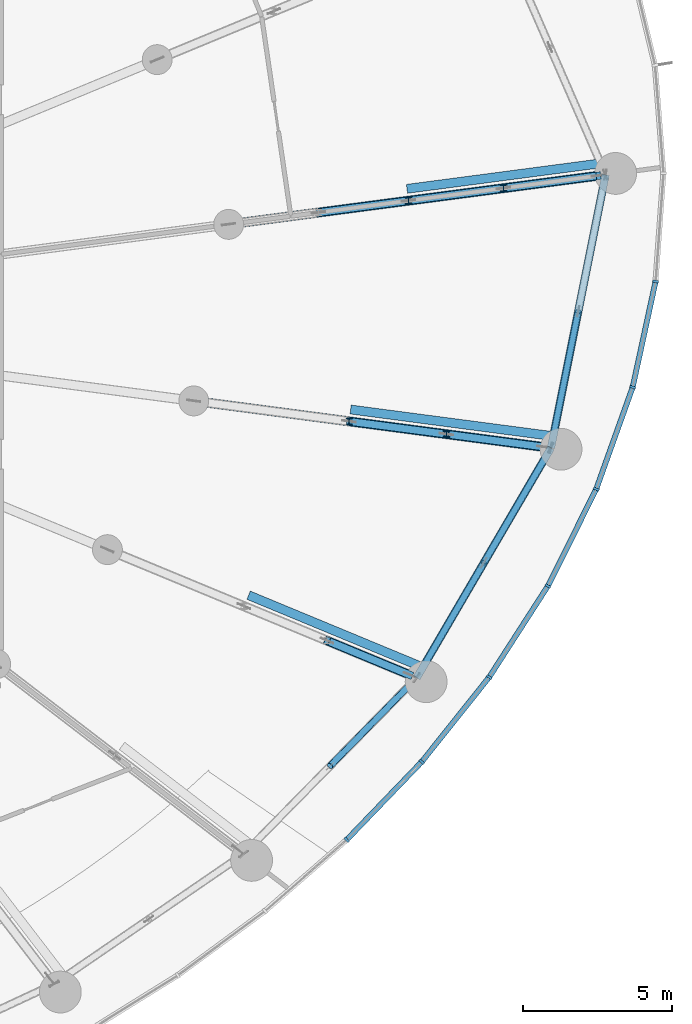
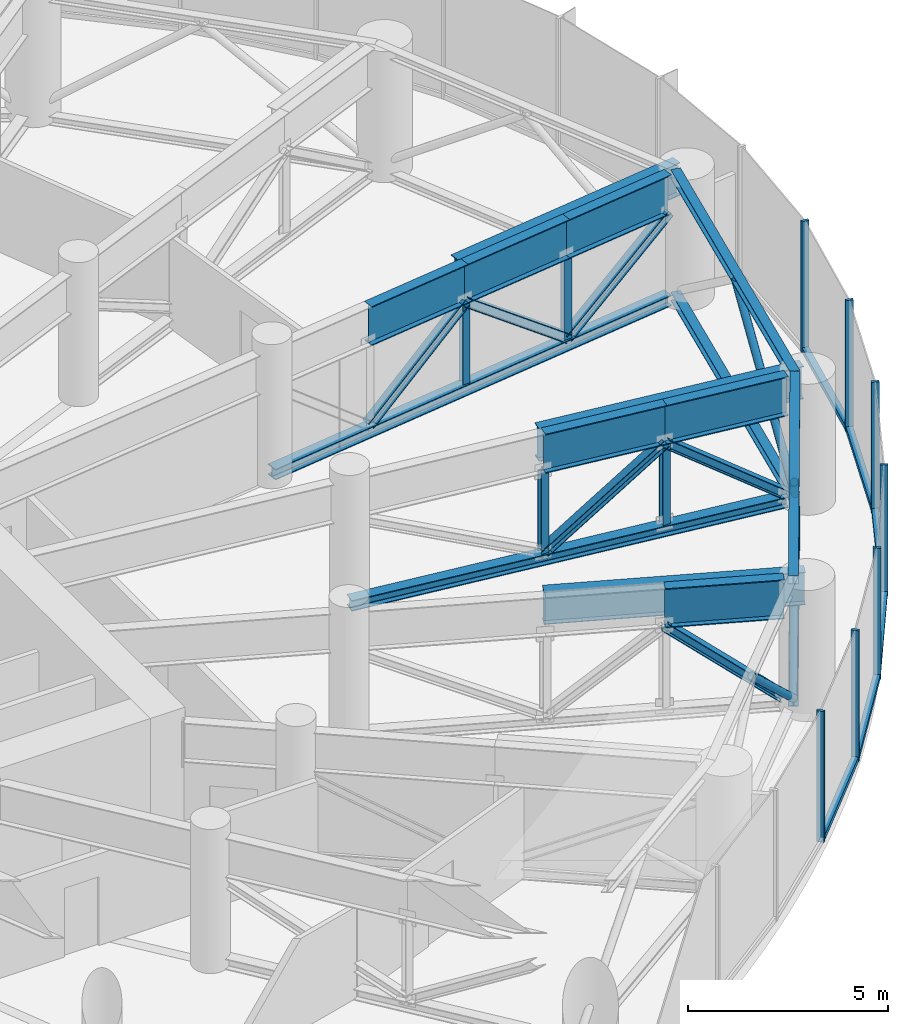
# One storey, part 16 of 42: 33 members, 9 beams, 2 elements without a shape of their own.
"""IFC4 building model written with IfcOpenShell, lengths in metres."""

from ifc_helpers import new_model, si_unit, direction, frame, origin, origin_2d, place, context, subcontext, project, spatial, rectangle, hollow_circle, i_section, extrude, source, transform, mapped, material, layer, layer_set, material_profile, profile_set, type_object, element, aggregate, save


model = new_model("IFC4")

# Units and contexts
model_context = context("Model", 3, precision=1e-05, world=origin(), true_north=direction((0.0, 1.0)))
body_context = subcontext(model_context, "Body", "Model", "MODEL_VIEW")
ifc_project = project(units=[si_unit("LENGTHUNIT", "METRE"), si_unit("AREAUNIT", "SQUARE_METRE"), si_unit("VOLUMEUNIT", "CUBIC_METRE"), si_unit("PLANEANGLEUNIT", "RADIAN"), si_unit("MASSUNIT", "GRAM", prefix="KILO")], contexts=[model_context])

# Site, building, storey
site_placement = place(None, origin())
site = spatial("IfcSite", under=ifc_project, at=site_placement, CompositionType="ELEMENT")
building_placement = place(site_placement, origin())
building = spatial("IfcBuilding", under=site, at=building_placement, Name="Spindrift Exchange Tower", CompositionType="ELEMENT")
storey_placement = place(building_placement, frame((0.0, 0.0, 75.39990234375)))
storey = spatial("IfcBuildingStorey", under=building, at=storey_placement, Name="L17", CompositionType="ELEMENT", Elevation=75.39990234375)

# Beam
ifc_material_1 = material(Name="Steel Grade 300", Category="steel")
ifc_material_profile_1 = material_profile(ifc_material_1, i_section(OverallWidth=0.300048828125, OverallDepth=1.199951171875, WebThickness=0.011962890625, FlangeThickness=0.028076171875, at=origin_2d()), Name="1200WB249")
ifc_profile_set_1 = profile_set([ifc_material_profile_1], Name="Steel Grade 300")
beam_type_1 = type_object("IfcBeamType", Name="Outrigger Truss Transfer Girder 1200WB249 Steel Grade 300", PredefinedType="BEAM", material=ifc_profile_set_1)
shared_shape_1 = source(origin(), body_context, "Body", "SweptSolid", [
    extrude(i_section(OverallWidth=0.300048828125, OverallDepth=1.199951171875, WebThickness=0.011962890625, FlangeThickness=0.028076171875, at=origin_2d()), origin(), (0.0, 0.0, 1.0), 3.037109375),
])
beam_1_placement = place(storey_placement, frame((78.045166015625, 51.428955078125, 3.400146484375), z_axis=(0.991453201107, 0.130462830014, 0.0), x_axis=(-0.130462830014, 0.991453201107, 0.0)))
element("IfcBeam", 1, at=beam_1_placement, inside=storey, type_object=beam_type_1, Name="L17 outrigger truss 01 top chord 3", PredefinedType="BEAM", context=body_context, shape_type="MappedRepresentation", body=[
    mapped(shared_shape_1, transform((0.0, 0.0, 0.0), scale=1.0)),
])

# Members
ifc_material_profile_2 = material_profile(ifc_material_1, i_section(OverallWidth=0.31103515625, OverallDepth=0.326904296875, WebThickness=0.015625, FlangeThickness=0.02490234375, FilletRadius=0.0166015625, at=origin_2d()), Name="310UC158")
ifc_profile_set_2 = profile_set([ifc_material_profile_2], Name="Steel Grade 300")
member_type_1 = type_object("IfcMemberType", Name="Outrigger Truss Chord 310UC158 Steel Grade 300", PredefinedType="CHORD", material=ifc_profile_set_2)
shared_shape_2 = source(origin(), body_context, "Body", "SweptSolid", [
    extrude(i_section(OverallWidth=0.31103515625, OverallDepth=0.326904296875, WebThickness=0.015625, FlangeThickness=0.02490234375, FilletRadius=0.0166015625, at=origin_2d()), origin(), (0.0, 0.0, 1.0), 12.48828125),
])
member_1_placement = place(storey_placement, frame((75.033935546875, 51.032470703125, 0.16357421875), z_axis=(0.991443912028, 0.130533403017, 0.0), x_axis=(-0.130533403017, 0.991443912028, 0.0)))
element("IfcMember", 2, at=member_1_placement, inside=storey, type_object=member_type_1, Name="L17 outrigger truss 01 bottom chord 2", PredefinedType="CHORD", context=body_context, shape_type="MappedRepresentation", body=[
    mapped(shared_shape_2, transform((0.0, 0.0, 0.0), scale=1.0)),
])
ifc_material_profile_3 = material_profile(ifc_material_1, i_section(OverallWidth=0.256103515625, OverallDepth=0.260009765625, WebThickness=0.010498046875, FlangeThickness=0.017333984375, FilletRadius=0.011962890625, at=origin_2d()), Name="250UC89.5")
ifc_profile_set_3 = profile_set([ifc_material_profile_3], Name="Steel Grade 300")
member_type_2 = type_object("IfcMemberType", Name="Outrigger Truss Diagonal 250UC89.5 Steel Grade 300", PredefinedType="BRACE", material=ifc_profile_set_3)
shared_shape_3 = source(origin(), body_context, "Body", "SweptSolid", [
    extrude(i_section(OverallWidth=0.256103515625, OverallDepth=0.260009765625, WebThickness=0.010498046875, FlangeThickness=0.017333984375, FilletRadius=0.011962890625, at=origin_2d()), origin(), (0.0, 0.0, 1.0), 3.91650390625),
])
member_2_placement = place(storey_placement, frame((78.045166015625, 51.428955078125, 0.3271484375), z_axis=(0.768837986343, 0.101169454503, 0.631389651667), x_axis=(-0.130462830014, 0.991453201107, 0.0)))
element("IfcMember", 3, at=member_2_placement, inside=storey, type_object=member_type_2, Name="L17 outrigger truss 01 diagonal 3", PredefinedType="BRACE", context=body_context, shape_type="MappedRepresentation", body=[
    mapped(shared_shape_3, transform((0.0, 0.0, 0.0), scale=1.0)),
])

# Beams
shared_shape_4 = source(origin(), body_context, "Body", "SweptSolid", [
    extrude(i_section(OverallWidth=0.300048828125, OverallDepth=1.199951171875, WebThickness=0.011962890625, FlangeThickness=0.028076171875, at=origin_2d()), origin(), (0.0, 0.0, 1.0), 3.206787109375),
])
for number, where, z_axis, x_axis, name in (
    (4, (81.056396484375, 51.8251953125, 3.400146484375), (0.991440037938, 0.130562824623, 0.0), (-0.130562824623, 0.991440037938, 0.0), "L17 outrigger truss 01 top chord 4"),
    (5, (84.23583984375, 52.243896484375, 3.400146484375), (0.991440037938, 0.130562824623, 0.0), (-0.130562824623, 0.991440037938, 0.0), "L17 outrigger truss 01 top chord 5"),
):
    element("IfcBeam", number, at=place(storey_placement, frame(where, z_axis=z_axis, x_axis=x_axis)), inside=storey, type_object=beam_type_1, Name=name, PredefinedType="BEAM", context=body_context, shape_type="MappedRepresentation", body=[
        mapped(shared_shape_4, transform((0.0, 0.0, 0.0), scale=1.0)),
    ])

# Members
shared_shape_5 = source(origin(), body_context, "Body", "SweptSolid", [
    extrude(i_section(OverallWidth=0.256103515625, OverallDepth=0.260009765625, WebThickness=0.010498046875, FlangeThickness=0.017333984375, FilletRadius=0.011962890625, at=origin_2d()), origin(), (0.0, 0.0, 1.0), 4.049560546875),
])
for number, where, z_axis, x_axis, name in (
    (6, (81.056396484375, 51.8251953125, 2.800048828125), (0.785121769162, 0.103392753906, -0.610650264904), (-0.130562824623, 0.991440037938, 0.0), "L17 outrigger truss 01 diagonal 4"),
    (7, (84.23583984375, 52.243896484375, 0.3271484375), (0.785121769162, 0.103392753906, 0.610650264904), (-0.130562824623, 0.991440037938, 0.0), "L17 outrigger truss 01 diagonal 5"),
):
    element("IfcMember", number, at=place(storey_placement, frame(where, z_axis=z_axis, x_axis=x_axis)), inside=storey, type_object=member_type_2, Name=name, PredefinedType="BRACE", context=body_context, shape_type="MappedRepresentation", body=[
        mapped(shared_shape_5, transform((0.0, 0.0, 0.0), scale=1.0)),
    ])
ifc_material_profile_4 = material_profile(ifc_material_1, i_section(OverallWidth=0.205078125, OverallDepth=0.2099609375, WebThickness=0.00927734375, FlangeThickness=0.01416015625, FilletRadius=0.012939453125, at=origin_2d()), Name="200UC59.5")
ifc_profile_set_4 = profile_set([ifc_material_profile_4], Name="Steel Grade 300")
member_type_3 = type_object("IfcMemberType", Name="Outrigger Truss Post 200UC59.5 Steel Grade 300", PredefinedType="POST", material=ifc_profile_set_4)
shared_shape_6 = source(origin(), body_context, "Body", "SweptSolid", [
    extrude(i_section(OverallWidth=0.205078125, OverallDepth=0.2099609375, WebThickness=0.00927734375, FlangeThickness=0.01416015625, FilletRadius=0.012939453125, at=origin_2d()), origin(), (0.0, 0.0, 1.0), 2.472900390625),
])
for number, where, z_axis, x_axis, name in (
    (8, (81.056396484375, 51.8251953125, 0.3271484375), (0.0, 0.0, 1.0), (1.0, 0.0, 0.0), "L17 outrigger truss 01 post 3"),
    (9, (84.23583984375, 52.243896484375, 0.3271484375), (0.0, 0.0, 1.0), (1.0, 0.0, 0.0), "L17 outrigger truss 01 post 4"),
    (10, (79.064453125, 44.43701171875, 0.3271484375), (0.0, 0.0, 1.0), (1.0, 0.0, 0.0), "L17 outrigger truss 24 post 2"),
    (11, (82.3251953125, 44.007568359375, 0.3271484375), (0.0, 0.0, 1.0), (1.0, 0.0, 0.0), "L17 outrigger truss 24 post 3"),
):
    element("IfcMember", number, at=place(storey_placement, frame(where, z_axis=z_axis, x_axis=x_axis)), inside=storey, type_object=member_type_3, Name=name, PredefinedType="POST", context=body_context, shape_type="MappedRepresentation", body=[
        mapped(shared_shape_6, transform((0.0, 0.0, 0.0), scale=1.0)),
    ])

# Beam
shared_shape_7 = source(origin(), body_context, "Body", "SweptSolid", [
    extrude(i_section(OverallWidth=0.300048828125, OverallDepth=1.199951171875, WebThickness=0.011962890625, FlangeThickness=0.028076171875, at=origin_2d()), origin(), (0.0, 0.0, 1.0), 3.009521484375),
])
beam_2_placement = place(storey_placement, frame((78.328125, 37.094482421875, 3.400146484375), z_axis=(0.923893248849, -0.382650316518, 0.0), x_axis=(0.382650316518, 0.923893248849, 0.0)))
element("IfcBeam", 12, at=beam_2_placement, inside=storey, type_object=beam_type_1, Name="L17 outrigger truss 23 top chord 4", PredefinedType="BEAM", context=body_context, shape_type="MappedRepresentation", body=[
    mapped(shared_shape_7, transform((0.0, 0.0, 0.0), scale=1.0)),
])

# Members
shared_shape_8 = source(origin(), body_context, "Body", "SweptSolid", [
    extrude(i_section(OverallWidth=0.256103515625, OverallDepth=0.260009765625, WebThickness=0.010498046875, FlangeThickness=0.017333984375, FilletRadius=0.011962890625, at=origin_2d()), origin(), (0.0, 0.0, 1.0), 3.895263671875),
])
member_3_placement = place(storey_placement, frame((78.328125, 37.094482421875, 2.800048828125), z_axis=(0.713828495111, -0.295647467858, -0.634855459389), x_axis=(0.382650316518, 0.923893248849, 0.0)))
element("IfcMember", 13, at=member_3_placement, inside=storey, type_object=member_type_2, Name="L17 outrigger truss 23 diagonal 4", PredefinedType="BRACE", context=body_context, shape_type="MappedRepresentation", body=[
    mapped(shared_shape_8, transform((0.0, 0.0, 0.0), scale=1.0)),
])
shared_shape_9 = source(origin(), body_context, "Body", "SweptSolid", [
    extrude(i_section(OverallWidth=0.31103515625, OverallDepth=0.326904296875, WebThickness=0.015625, FlangeThickness=0.02490234375, FilletRadius=0.0166015625, at=origin_2d()), origin(), (0.0, 0.0, 1.0), 11.823974609375),
])
member_4_placement = place(storey_placement, frame((73.86328125, 45.12158203125, 0.16357421875), z_axis=(0.991446352236, -0.130514867495, 0.0), x_axis=(0.130514867495, 0.991446352236, 0.0)))
element("IfcMember", 14, at=member_4_placement, inside=storey, type_object=member_type_1, Name="L17 outrigger truss 24 bottom chord 2", PredefinedType="CHORD", context=body_context, shape_type="MappedRepresentation", body=[
    mapped(shared_shape_9, transform((0.0, 0.0, 0.0), scale=1.0)),
])

# Beam
shared_shape_10 = source(origin(), body_context, "Body", "SweptSolid", [
    extrude(i_section(OverallWidth=0.300048828125, OverallDepth=1.199951171875, WebThickness=0.011962890625, FlangeThickness=0.028076171875, at=origin_2d()), origin(), (0.0, 0.0, 1.0), 3.288818359375),
])
beam_3_placement = place(storey_placement, frame((79.064453125, 44.43701171875, 3.400146484375), z_axis=(0.991438623433, -0.130573565335, 0.0), x_axis=(0.130573565335, 0.991438623433, 0.0)))
element("IfcBeam", 15, at=beam_3_placement, inside=storey, type_object=beam_type_1, Name="L17 outrigger truss 24 top chord 3", PredefinedType="BEAM", context=body_context, shape_type="MappedRepresentation", body=[
    mapped(shared_shape_10, transform((0.0, 0.0, 0.0), scale=1.0)),
])

# Member
shared_shape_11 = source(origin(), body_context, "Body", "SweptSolid", [
    extrude(i_section(OverallWidth=0.256103515625, OverallDepth=0.260009765625, WebThickness=0.010498046875, FlangeThickness=0.017333984375, FilletRadius=0.011962890625, at=origin_2d()), origin(), (0.0, 0.0, 1.0), 4.11474609375),
])
member_5_placement = place(storey_placement, frame((79.064453125, 44.43701171875, 0.3271484375), z_axis=(0.792430314964, -0.104363950586, 0.600967854168), x_axis=(0.130573565335, 0.991438623433, 0.0)))
element("IfcMember", 16, at=member_5_placement, inside=storey, type_object=member_type_2, Name="L17 outrigger truss 24 diagonal 3", PredefinedType="BRACE", context=body_context, shape_type="MappedRepresentation", body=[
    mapped(shared_shape_11, transform((0.0, 0.0, 0.0), scale=1.0)),
])

# Beam
shared_shape_12 = source(origin(), body_context, "Body", "SweptSolid", [
    extrude(i_section(OverallWidth=0.300048828125, OverallDepth=1.199951171875, WebThickness=0.011962890625, FlangeThickness=0.028076171875, at=origin_2d()), origin(), (0.0, 0.0, 1.0), 3.2890625),
])
beam_4_placement = place(storey_placement, frame((82.3251953125, 44.007568359375, 3.400146484375), z_axis=(0.991449494626, -0.130490994351, 0.0), x_axis=(0.130490994351, 0.991449494626, 0.0)))
element("IfcBeam", 17, at=beam_4_placement, inside=storey, type_object=beam_type_1, Name="L17 outrigger truss 24 top chord 4", PredefinedType="BEAM", context=body_context, shape_type="MappedRepresentation", body=[
    mapped(shared_shape_12, transform((0.0, 0.0, 0.0), scale=1.0)),
])

# Members
shared_shape_13 = source(origin(), body_context, "Body", "SweptSolid", [
    extrude(i_section(OverallWidth=0.256103515625, OverallDepth=0.260009765625, WebThickness=0.010498046875, FlangeThickness=0.017333984375, FilletRadius=0.011962890625, at=origin_2d()), origin(), (0.0, 0.0, 1.0), 4.114990234375),
])
member_6_placement = place(storey_placement, frame((82.3251953125, 44.007568359375, 2.800048828125), z_axis=(0.79245729301, -0.104300360943, -0.600943319675), x_axis=(0.130490994351, 0.991449494626, 0.0)))
element("IfcMember", 18, at=member_6_placement, inside=storey, type_object=member_type_2, Name="L17 outrigger truss 24 diagonal 4", PredefinedType="BRACE", context=body_context, shape_type="MappedRepresentation", body=[
    mapped(shared_shape_13, transform((0.0, 0.0, 0.0), scale=1.0)),
])
ifc_material_2 = material(Name="Steel Grade 350", Category="steel")
ifc_material_profile_5 = material_profile(ifc_material_2, hollow_circle(Radius=0.109619140625, WallThickness=0.00830078125, at=origin_2d()), Name="219.1x8.2CHS")
ifc_profile_set_5 = profile_set([ifc_material_profile_5], Name="Steel Grade 350")
member_type_4 = type_object("IfcMemberType", Name="Belt Truss Diagonal 219.1x8.2CHS Steel Grade 350", PredefinedType="BRACE", material=ifc_profile_set_5)
shared_shape_14 = source(origin(), body_context, "Body", "SweptSolid", [
    extrude(hollow_circle(Radius=0.109619140625, WallThickness=0.00830078125, at=origin_2d()), origin(), (0.0, 0.0, 1.0), 5.407470703125),
])
member_7_placement = place(storey_placement, frame((78.4306640625, 32.8974609375, 3.739990234375), z_axis=(0.53623251093, 0.546165250881, -0.643551251224), x_axis=(-0.713565578832, 0.700588441745, 0.0)))
element("IfcMember", 19, at=member_7_placement, inside=storey, type_object=member_type_4, Name="L17 belt truss 22 diagonal 2", PredefinedType="BRACE", context=body_context, shape_type="MappedRepresentation", body=[
    mapped(shared_shape_14, transform((0.0, 0.0, 0.0), scale=1.0)),
])
ifc_material_profile_6 = material_profile(ifc_material_1, i_section(OverallWidth=0.256103515625, OverallDepth=0.260009765625, WebThickness=0.010498046875, FlangeThickness=0.017333984375, FilletRadius=0.011962890625, at=origin_2d()), Name="250UC89.5")
ifc_profile_set_6 = profile_set([ifc_material_profile_6], Name="Steel Grade 300")
member_type_5 = type_object("IfcMemberType", Name="Belt Truss Chord 250UC89.5 Steel Grade 300", PredefinedType="CHORD", material=ifc_profile_set_6)
shared_shape_15 = source(origin(), body_context, "Body", "SweptSolid", [
    extrude(i_section(OverallWidth=0.256103515625, OverallDepth=0.260009765625, WebThickness=0.010498046875, FlangeThickness=0.017333984375, FilletRadius=0.011962890625, at=origin_2d()), origin(), (0.0, 0.0, 1.0), 8.912353515625),
])
for number, where, z_axis, x_axis, name in (
    (20, (81.330322265625, 35.850830078125, 3.8701171875), (0.504238880853, 0.863564213615, 0.0), (-0.863564213615, 0.504238880853, 0.0), "L17 belt truss 23 top chord"),
    (21, (81.330322265625, 35.850830078125, 0.130126953125), (0.504238880853, 0.863564213615, 0.0), (-0.863564213615, 0.504238880853, 0.0), "L17 belt truss 23 bottom chord"),
):
    element("IfcMember", number, at=place(storey_placement, frame(where, z_axis=z_axis, x_axis=x_axis)), inside=storey, type_object=member_type_5, Name=name, PredefinedType="CHORD", context=body_context, shape_type="MappedRepresentation", body=[
        mapped(shared_shape_15, transform((0.0, 0.0, 0.0), scale=1.0)),
    ])
shared_shape_16 = source(origin(), body_context, "Body", "SweptSolid", [
    extrude(hollow_circle(Radius=0.109619140625, WallThickness=0.00830078125, at=origin_2d()), origin(), (0.0, 0.0, 1.0), 5.65380859375),
])
member_8_placement = place(storey_placement, frame((81.330322265625, 35.850830078125, 0.260009765625), z_axis=(0.397393276871, 0.680616410957, 0.615499703196), x_axis=(-0.863576141995, 0.504218451642, 0.0)))
element("IfcMember", 22, at=member_8_placement, inside=storey, type_object=member_type_4, Name="L17 belt truss 23 diagonal 1", PredefinedType="BRACE", context=body_context, shape_type="MappedRepresentation", body=[
    mapped(shared_shape_16, transform((0.0, 0.0, 0.0), scale=1.0)),
])
shared_shape_17 = source(origin(), body_context, "Body", "SweptSolid", [
    extrude(hollow_circle(Radius=0.109619140625, WallThickness=0.00830078125, at=origin_2d()), origin(), (0.0, 0.0, 1.0), 5.654052734375),
])
member_9_placement = place(storey_placement, frame((83.5771484375, 39.698974609375, 3.739990234375), z_axis=(0.397429637596, 0.680604731398, -0.615489141057), x_axis=(-0.863552285081, 0.504259309217, 0.0)))
element("IfcMember", 23, at=member_9_placement, inside=storey, type_object=member_type_4, Name="L17 belt truss 23 diagonal 2", PredefinedType="BRACE", context=body_context, shape_type="MappedRepresentation", body=[
    mapped(shared_shape_17, transform((0.0, 0.0, 0.0), scale=1.0)),
])
shared_shape_18 = source(origin(), body_context, "Body", "SweptSolid", [
    extrude(i_section(OverallWidth=0.256103515625, OverallDepth=0.260009765625, WebThickness=0.010498046875, FlangeThickness=0.017333984375, FilletRadius=0.011962890625, at=origin_2d()), origin(), (0.0, 0.0, 1.0), 9.327880859375),
])
for number, where, z_axis, x_axis, name in (
    (24, (85.82421875, 43.547119140625, 3.8701171875), (0.196090968361, 0.98058570871, 0.0), (-0.98058570871, 0.196090968361, 0.0), "L17 belt truss 24 top chord"),
    (25, (85.82421875, 43.547119140625, 0.130126953125), (0.196090968361, 0.98058570871, 0.0), (-0.98058570871, 0.196090968361, 0.0), "L17 belt truss 24 bottom chord"),
):
    element("IfcMember", number, at=place(storey_placement, frame(where, z_axis=z_axis, x_axis=x_axis)), inside=storey, type_object=member_type_5, Name=name, PredefinedType="CHORD", context=body_context, shape_type="MappedRepresentation", body=[
        mapped(shared_shape_18, transform((0.0, 0.0, 0.0), scale=1.0)),
    ])
shared_shape_19 = source(origin(), body_context, "Body", "SweptSolid", [
    extrude(hollow_circle(Radius=0.109619140625, WallThickness=0.00830078125, at=origin_2d()), origin(), (0.0, 0.0, 1.0), 5.819091796875),
])
member_10_placement = place(storey_placement, frame((85.82421875, 43.547119140625, 0.260009765625), z_axis=(0.157165268981, 0.785910255886, 0.598033567553), x_axis=(-0.980584702262, 0.19609600121, 0.0)))
element("IfcMember", 26, at=member_10_placement, inside=storey, type_object=member_type_4, Name="L17 belt truss 24 diagonal 1", PredefinedType="BRACE", context=body_context, shape_type="MappedRepresentation", body=[
    mapped(shared_shape_19, transform((0.0, 0.0, 0.0), scale=1.0)),
])

# Beams
ifc_material_profile_7 = material_profile(ifc_material_1, i_section(OverallWidth=0.300048828125, OverallDepth=1.0, WebThickness=0.010009765625, FlangeThickness=0.02001953125, at=origin_2d()), Name="1000WB215")
ifc_profile_set_7 = profile_set([ifc_material_profile_7], Name="Steel Grade 300")
beam_type_2 = type_object("IfcBeamType", Name="Transfer Tie Beam 1000WB215 Steel Grade 300", PredefinedType="BEAM", material=ifc_profile_set_7)
shared_shape_20 = source(origin(), body_context, "Body", "SweptSolid", [
    extrude(i_section(OverallWidth=0.300048828125, OverallDepth=1.0, WebThickness=0.010009765625, FlangeThickness=0.02001953125, at=origin_2d()), origin(), (0.0, 0.0, 1.0), 6.993896484375),
])
beam_5_placement = place(storey_placement, frame((87.938232421875, 53.134765625, 3.400146484375), z_axis=(-0.991445738791, -0.130519527404, 0.0), x_axis=(0.130519527404, -0.991445738791, 0.0)))
element("IfcBeam", 27, at=beam_5_placement, inside=storey, type_object=beam_type_2, Name="L17 transfer tie beam K01", PredefinedType="BEAM", context=body_context, shape_type="MappedRepresentation", body=[
    mapped(shared_shape_20, transform((0.0, 0.0, 0.0), scale=1.0)),
])
shared_shape_21 = source(origin(), body_context, "Body", "SweptSolid", [
    extrude(i_section(OverallWidth=0.300048828125, OverallDepth=1.0, WebThickness=0.010009765625, FlangeThickness=0.02001953125, at=origin_2d()), origin(), (0.0, 0.0, 1.0), 6.59912109375),
])
beam_6_placement = place(storey_placement, frame((81.797607421875, 36.09033203125, 3.400146484375), z_axis=(-0.923876145736, 0.382691608661, 0.0), x_axis=(-0.382691608661, -0.923876145736, 0.0)))
element("IfcBeam", 28, at=beam_6_placement, inside=storey, type_object=beam_type_2, Name="L17 transfer tie beam K23", PredefinedType="BEAM", context=body_context, shape_type="MappedRepresentation", body=[
    mapped(shared_shape_21, transform((0.0, 0.0, 0.0), scale=1.0)),
])
shared_shape_22 = source(origin(), body_context, "Body", "SweptSolid", [
    extrude(i_section(OverallWidth=0.300048828125, OverallDepth=1.0, WebThickness=0.010009765625, FlangeThickness=0.02001953125, at=origin_2d()), origin(), (0.0, 0.0, 1.0), 7.157958984375),
])
beam_7_placement = place(storey_placement, frame((86.21337890625, 43.899169921875, 3.400146484375), z_axis=(-0.991444308748, 0.130530389761, 0.0), x_axis=(-0.130530389761, -0.991444308748, 0.0)))
element("IfcBeam", 29, at=beam_7_placement, inside=storey, type_object=beam_type_2, Name="L17 transfer tie beam K24", PredefinedType="BEAM", context=body_context, shape_type="MappedRepresentation", body=[
    mapped(shared_shape_22, transform((0.0, 0.0, 0.0), scale=1.0)),
])

# Curtain wall, member
ifc_material_3 = material(Name="Fritted laminated glass with bronze frame", Category="glass")
ifc_layer = layer(ifc_material_3, 0.199951171875)
ifc_layer_set = layer_set([ifc_layer], Name="ZONE 1 BRONZE FRITTED WALL")
curtain_wall_type = type_object("IfcCurtainWallType", Name="ZONE 1 BRONZE FRITTED WALL", PredefinedType="NOTDEFINED", material=ifc_layer_set)
curtain_wall_1_placement = place(storey_placement, origin())
curtain_wall_1 = element("IfcCurtainWall", 30, at=curtain_wall_1_placement, inside=storey, type_object=curtain_wall_type, Name="L17 Zone 1 Bronze Fritted Wall run 10", PredefinedType="NOTDEFINED")
ifc_material_4 = material(Name="Bronze anodised aluminium", Category="aluminium")
ifc_material_profile_8 = material_profile(ifc_material_4, rectangle(XDim=0.179931640625, YDim=0.14990234375, at=origin_2d()), Name="ZONE 1 BRONZE FRITTED WALL TRANSOM 180X150")
ifc_profile_set_8 = profile_set([ifc_material_profile_8], Name="Bronze anodised aluminium")
member_type_6 = type_object("IfcMemberType", Name="ZONE 1 BRONZE FRITTED WALL TRANSOM 180X150", PredefinedType="USERDEFINED", material=ifc_profile_set_8)
shared_shape_23 = source(origin(), body_context, "Body", "SweptSolid", [
    extrude(rectangle(XDim=0.179931640625, YDim=0.14990234375, at=origin_2d()), origin(), (0.0, 0.0, 1.0), 3.545654296875),
])
member_11_placement = place(storey_placement, frame((88.570556640625, 45.62109375, 0.0751953125), z_axis=(0.211663462399, 0.977342610698, 0.0), x_axis=(-0.977342610698, 0.211663462399, 0.0)))
member_11 = element("IfcMember", 31, at=member_11_placement, type_object=member_type_6, Name="L17 transom CW-1.56", ObjectType="TRANSOM", PredefinedType="USERDEFINED", context=body_context, shape_type="MappedRepresentation", body=[
    mapped(shared_shape_23, transform((0.0, 0.0, 0.0), scale=1.0)),
])

# Curtain wall, members
curtain_wall_2_placement = place(storey_placement, origin())
curtain_wall_2 = element("IfcCurtainWall", 32, at=curtain_wall_2_placement, inside=storey, type_object=curtain_wall_type, Name="L17 Zone 1 Bronze Fritted Wall run 9", PredefinedType="NOTDEFINED")
shared_shape_24 = source(origin(), body_context, "Body", "SweptSolid", [
    extrude(rectangle(XDim=0.179931640625, YDim=0.14990234375, at=origin_2d()), origin(), (0.0, 0.0, 1.0), 3.547119140625),
])
member_12_placement = place(storey_placement, frame((79.011962890625, 30.452880859375, 0.0751953125), z_axis=(0.693382394762, 0.720569812464, 0.0), x_axis=(-0.720569812464, 0.693382394762, 0.0)))
member_12 = element("IfcMember", 33, at=member_12_placement, type_object=member_type_6, Name="L17 transom CW-1.51", ObjectType="TRANSOM", PredefinedType="USERDEFINED", context=body_context, shape_type="MappedRepresentation", body=[
    mapped(shared_shape_24, transform((0.0, 0.0, 0.0), scale=1.0)),
])
shared_shape_25 = source(origin(), body_context, "Body", "SweptSolid", [
    extrude(rectangle(XDim=0.179931640625, YDim=0.14990234375, at=origin_2d()), origin(), (0.0, 0.0, 1.0), 3.54638671875),
])
member_13_placement = place(storey_placement, frame((83.781005859375, 35.907470703125, 0.0751953125), z_axis=(0.541428922541, 0.840746526509, 0.0), x_axis=(-0.840746526509, 0.541428922541, 0.0)))
member_13 = element("IfcMember", 34, at=member_13_placement, type_object=member_type_6, Name="L17 transom CW-1.53", ObjectType="TRANSOM", PredefinedType="USERDEFINED", context=body_context, shape_type="MappedRepresentation", body=[
    mapped(shared_shape_25, transform((0.0, 0.0, 0.0), scale=1.0)),
])
member_14_placement = place(storey_placement, frame((85.74072265625, 38.958740234375, 0.0751953125), z_axis=(0.4463872716, 0.894839876041, 0.0), x_axis=(-0.894839876041, 0.4463872716, 0.0)))
member_14 = element("IfcMember", 35, at=member_14_placement, type_object=member_type_6, Name="L17 transom CW-1.54", ObjectType="TRANSOM", PredefinedType="USERDEFINED", context=body_context, shape_type="MappedRepresentation", body=[
    mapped(shared_shape_25, transform((0.0, 0.0, 0.0), scale=1.0)),
])
shared_shape_26 = source(origin(), body_context, "Body", "SweptSolid", [
    extrude(rectangle(XDim=0.179931640625, YDim=0.14990234375, at=origin_2d()), origin(), (0.0, 0.0, 1.0), 3.546630859375),
])
member_15_placement = place(storey_placement, frame((81.52392578125, 33.06884765625, 0.0751953125), z_axis=(0.623233306699, 0.782035961719, 0.0), x_axis=(-0.782035961719, 0.623233306699, 0.0)))
member_15 = element("IfcMember", 36, at=member_15_placement, type_object=member_type_6, Name="L17 transom CW-1.52", ObjectType="TRANSOM", PredefinedType="USERDEFINED", context=body_context, shape_type="MappedRepresentation", body=[
    mapped(shared_shape_26, transform((0.0, 0.0, 0.0), scale=1.0)),
])

# Member
shared_shape_27 = source(origin(), body_context, "Body", "SweptSolid", [
    extrude(rectangle(XDim=0.179931640625, YDim=0.14990234375, at=origin_2d()), origin(), (0.0, 0.0, 1.0), 3.5458984375),
])
member_16_placement = place(storey_placement, frame((87.35498046875, 42.20556640625, 0.0751953125), z_axis=(0.336685306115, 0.941617228308, 0.0), x_axis=(-0.941617228308, 0.336685306115, 0.0)))
member_16 = element("IfcMember", 37, at=member_16_placement, type_object=member_type_6, Name="L17 transom CW-1.55", ObjectType="TRANSOM", PredefinedType="USERDEFINED", context=body_context, shape_type="MappedRepresentation", body=[
    mapped(shared_shape_27, transform((0.0, 0.0, 0.0), scale=1.0)),
])

ifc_material_profile_9 = material_profile(ifc_material_4, rectangle(XDim=0.080078125, YDim=0.199951171875, at=origin_2d()), Name="ZONE 1 BRONZE FRITTED WALL MULLION 80X200")
ifc_profile_set_9 = profile_set([ifc_material_profile_9], Name="Bronze anodised aluminium")
member_type_7 = type_object("IfcMemberType", Name="ZONE 1 BRONZE FRITTED WALL MULLION 80X200", PredefinedType="MULLION", material=ifc_profile_set_9)
shared_shape_28 = source(origin(), body_context, "Body", "SweptSolid", [
    extrude(rectangle(XDim=0.080078125, YDim=0.199951171875, at=origin_2d()), origin(), (0.0, 0.0, 1.0), 4.0),
])
member_17_placement = place(storey_placement, frame((78.984130859375, 30.424072265625, 0.0), z_axis=(0.0, 0.0, 1.0), x_axis=(0.724163829979, 0.6896279775, 0.0)))
member_17 = element("IfcMember", 38, at=member_17_placement, type_object=member_type_7, Name="L17 mullion CW-1.51", PredefinedType="MULLION", context=body_context, shape_type="MappedRepresentation", body=[
    mapped(shared_shape_28, transform((0.0, 0.0, 0.0), scale=1.0)),
])

member_18_placement = place(storey_placement, frame((81.4990234375, 33.03759765625, 0.0), z_axis=(0.0, 0.0, 1.0), x_axis=(0.659013148378, 0.752131418214, 0.0)))
member_18 = element("IfcMember", 39, at=member_18_placement, type_object=member_type_7, Name="L17 mullion CW-1.52", PredefinedType="MULLION", context=body_context, shape_type="MappedRepresentation", body=[
    mapped(shared_shape_28, transform((0.0, 0.0, 0.0), scale=1.0)),
])

member_19_placement = place(storey_placement, frame((83.75927734375, 35.873779296875, 0.0), z_axis=(0.0, 0.0, 1.0), x_axis=(0.583065408902, 0.812425214368, 0.0)))
member_19 = element("IfcMember", 40, at=member_19_placement, type_object=member_type_7, Name="L17 mullion CW-1.53", PredefinedType="MULLION", context=body_context, shape_type="MappedRepresentation", body=[
    mapped(shared_shape_28, transform((0.0, 0.0, 0.0), scale=1.0)),
])

member_20_placement = place(storey_placement, frame((85.722900390625, 38.9228515625, 0.0), z_axis=(0.0, 0.0, 1.0), x_axis=(0.494656277119, 0.869088699447, 0.0)))
member_20 = element("IfcMember", 41, at=member_20_placement, type_object=member_type_7, Name="L17 mullion CW-1.54", PredefinedType="MULLION", context=body_context, shape_type="MappedRepresentation", body=[
    mapped(shared_shape_28, transform((0.0, 0.0, 0.0), scale=1.0)),
])

aggregate(curtain_wall_2, [member_17, member_12, member_18, member_15, member_19, member_13, member_20, member_14])

member_21_placement = place(storey_placement, frame((87.341552734375, 42.167724609375, 0.0), z_axis=(0.0, 0.0, 1.0), x_axis=(0.392207420151, 0.91987680674, 0.0)))
member_21 = element("IfcMember", 42, at=member_21_placement, type_object=member_type_7, Name="L17 mullion CW-1.55", PredefinedType="MULLION", context=body_context, shape_type="MappedRepresentation", body=[
    mapped(shared_shape_28, transform((0.0, 0.0, 0.0), scale=1.0)),
])

member_22_placement = place(storey_placement, frame((88.562255859375, 45.58203125, 0.0), z_axis=(0.0, 0.0, 1.0), x_axis=(0.274705723199, 0.96152834885, 0.0)))
member_22 = element("IfcMember", 43, at=member_22_placement, type_object=member_type_7, Name="L17 mullion CW-1.56", PredefinedType="MULLION", context=body_context, shape_type="MappedRepresentation", body=[
    mapped(shared_shape_28, transform((0.0, 0.0, 0.0), scale=1.0)),
])

member_23_placement = place(storey_placement, frame((89.329345703125, 49.12548828125, 0.0), z_axis=(0.0, 0.0, 1.0), x_axis=(0.142286276103, 0.98982554808, 0.0)))
member_23 = element("IfcMember", 44, at=member_23_placement, type_object=member_type_7, Name="L17 mullion CW-1.57", PredefinedType="MULLION", context=body_context, shape_type="MappedRepresentation", body=[
    mapped(shared_shape_28, transform((0.0, 0.0, 0.0), scale=1.0)),
])

aggregate(curtain_wall_1, [member_21, member_16, member_22, member_11, member_23])

save(model, "model.ifc")
